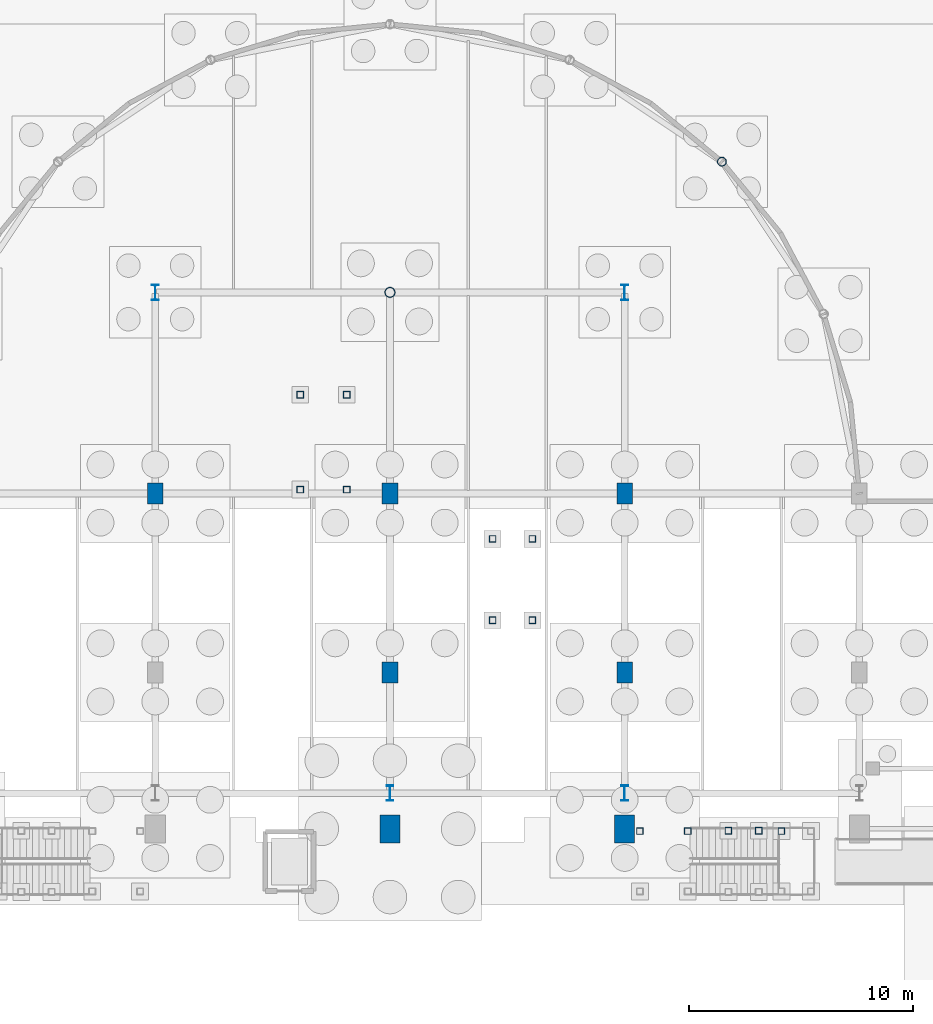
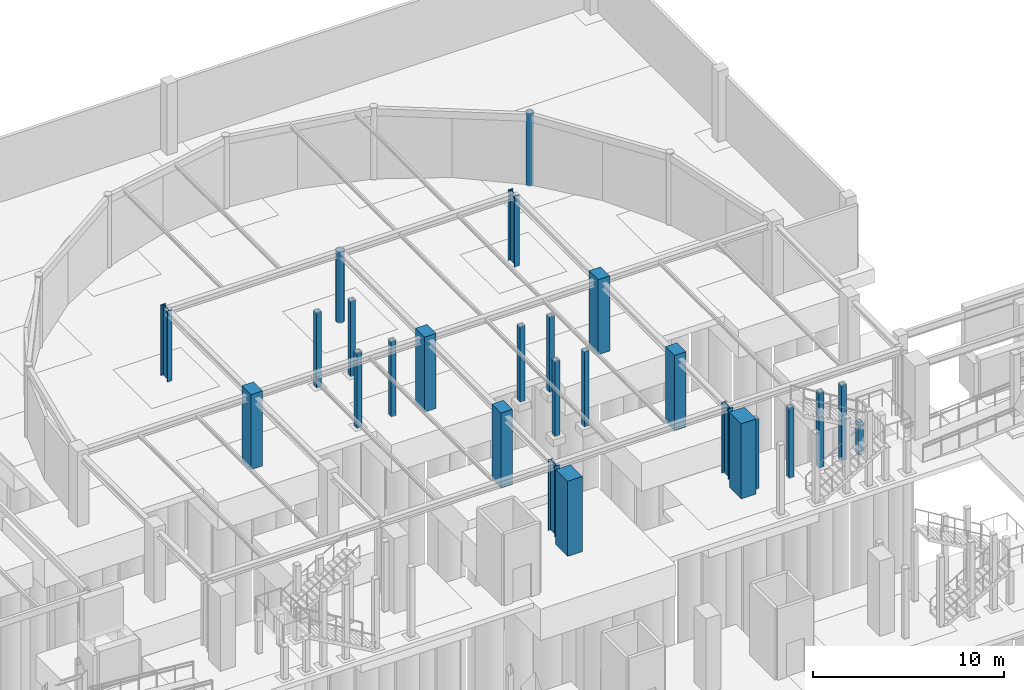
# One storey, part 25 of 160: 26 columns.
"""IFC4 building model written with IfcOpenShell, lengths in metres."""

from ifc_helpers import new_model, si_unit, direction, frame, origin, origin_2d, place, context, subcontext, project, spatial, rectangle, hollow_rectangle, hollow_circle, i_section, extrude, material, material_profile, profile_set, type_object, element, save


model = new_model("IFC4")

# Units and contexts
model_context = context("Model", 3, precision=1e-05, world=origin(), true_north=direction((0.0, 1.0)))
body_context = subcontext(model_context, "Body", "Model", "MODEL_VIEW")
ifc_project = project(units=[si_unit("LENGTHUNIT", "METRE"), si_unit("AREAUNIT", "SQUARE_METRE"), si_unit("VOLUMEUNIT", "CUBIC_METRE"), si_unit("PLANEANGLEUNIT", "RADIAN"), si_unit("MASSUNIT", "GRAM", prefix="KILO")], contexts=[model_context])

# Site, building, storey
site_placement = place(None, origin())
site = spatial("IfcSite", under=ifc_project, at=site_placement, CompositionType="ELEMENT")
building_placement = place(site_placement, origin())
building = spatial("IfcBuilding", under=site, at=building_placement, Name="Marlcrest Central Station", CompositionType="ELEMENT")
storey_placement = place(building_placement, origin())
storey = spatial("IfcBuildingStorey", under=building, at=storey_placement, Name="L00", CompositionType="ELEMENT", Elevation=0.0)

# Columns
ifc_material_1 = material(Name="Concrete C50/60", Category="concrete")
ifc_material_profile_1 = material_profile(ifc_material_1, rectangle(XDim=0.699951171875, YDim=0.949951171875, at=origin_2d()), Name="RC 700x950")
ifc_profile_set_1 = profile_set([ifc_material_profile_1], Name="Concrete C50/60")
column_type_1 = type_object("IfcColumnType", Name="RC-10", PredefinedType="COLUMN", material=ifc_profile_set_1)
for number, where, z_axis, x_axis, name in (
    (1, (108.0, 102.5, 0.0), (0.0, 0.0, 1.0), (1.0, 0.0, 0.0), "col-RC-10-L00-0755"),
    (2, (118.5, 102.5, 0.0), (0.0, 0.0, 1.0), (1.0, 0.0, 0.0), "col-RC-10-L00-0757"),
    (3, (97.5, 110.5, 0.0), (0.0, 0.0, 1.0), (1.0, 0.0, 0.0), "col-RC-10-L00-0771"),
    (4, (108.0, 110.5, 0.0), (0.0, 0.0, 1.0), (1.0, 0.0, 0.0), "col-RC-10-L00-0773"),
    (5, (118.5, 110.5, 0.0), (0.0, 0.0, 1.0), (1.0, 0.0, 0.0), "col-RC-10-L00-0775"),
):
    element("IfcColumn", number, at=place(storey_placement, frame(where, z_axis=z_axis, x_axis=x_axis)), inside=storey, type_object=column_type_1, Name=name, PredefinedType="COLUMN", context=body_context, shape_type="SweptSolid", body=[
        extrude(rectangle(XDim=0.699951171875, YDim=0.949951171875, at=origin_2d()), origin(), (0.0, 0.0, 1.0), 4.800048828125),
    ])
ifc_material_profile_2 = material_profile(ifc_material_1, rectangle(XDim=0.89990234375, YDim=1.25, at=origin_2d()), Name="RC 900x1250")
ifc_profile_set_2 = profile_set([ifc_material_profile_2], Name="Concrete C50/60")
column_type_2 = type_object("IfcColumnType", Name="RC-12", PredefinedType="COLUMN", material=ifc_profile_set_2)
for number, where, z_axis, x_axis, name in (
    (6, (108.0, 95.5, 0.0), (0.0, 0.0, 1.0), (1.0, 0.0, 0.0), "col-RC-12-L00-0645"),
    (7, (118.5, 95.5, 0.0), (0.0, 0.0, 1.0), (1.0, 0.0, 0.0), "col-RC-12-L00-0655"),
):
    element("IfcColumn", number, at=place(storey_placement, frame(where, z_axis=z_axis, x_axis=x_axis)), inside=storey, type_object=column_type_2, Name=name, PredefinedType="COLUMN", context=body_context, shape_type="SweptSolid", body=[
        extrude(rectangle(XDim=0.89990234375, YDim=1.25, at=origin_2d()), origin(), (0.0, 0.0, 1.0), 4.800048828125),
    ])
ifc_material_2 = material(Name="Steel S355", Category="steel")
ifc_material_profile_3 = material_profile(ifc_material_2, i_section(OverallWidth=0.300048828125, OverallDepth=0.699951171875, WebThickness=0.01708984375, FlangeThickness=0.031982421875, FilletRadius=0.027099609375, at=origin_2d()), Name="HEB 700")
ifc_profile_set_3 = profile_set([ifc_material_profile_3], Name="Steel S355")
column_type_3 = type_object("IfcColumnType", Name="SC-07", PredefinedType="COLUMN", material=ifc_profile_set_3)
for number, where, z_axis, x_axis, name in (
    (8, (97.5, 119.5, 0.0), (0.0, 0.0, 1.0), (1.0, 0.0, 0.0), "col-SC-07-L00-0871"),
    (9, (118.5, 119.5, 0.0), (0.0, 0.0, 1.0), (1.0, 0.0, 0.0), "col-SC-07-L00-0879"),
    (10, (108.0, 97.10009765625, 0.0), (0.0, 0.0, 1.0), (1.0, 0.0, 0.0), "col-SC-07-L00-0890"),
    (11, (118.5, 97.10009765625, 0.0), (0.0, 0.0, 1.0), (1.0, 0.0, 0.0), "col-SC-07-L00-0893"),
):
    element("IfcColumn", number, at=place(storey_placement, frame(where, z_axis=z_axis, x_axis=x_axis)), inside=storey, type_object=column_type_3, Name=name, PredefinedType="COLUMN", context=body_context, shape_type="SweptSolid", body=[
        extrude(i_section(OverallWidth=0.300048828125, OverallDepth=0.699951171875, WebThickness=0.01708984375, FlangeThickness=0.031982421875, FilletRadius=0.027099609375, at=origin_2d()), origin(), (0.0, 0.0, 1.0), 4.52001953125),
    ])
ifc_material_profile_4 = material_profile(ifc_material_2, hollow_circle(Radius=0.203125, WallThickness=0.02001953125, at=origin_2d()), Name="CHS 406.4x20")
ifc_profile_set_4 = profile_set([ifc_material_profile_4], Name="Steel S355")
column_type_4 = type_object("IfcColumnType", Name="SC-10", PredefinedType="COLUMN", material=ifc_profile_set_4)
column_1_placement = place(storey_placement, frame((122.84912109375, 125.34912109375, 0.0), z_axis=(0.0, 0.0, 1.0), x_axis=(1.0, 0.0, 0.0)))
element("IfcColumn", 12, at=column_1_placement, inside=storey, type_object=column_type_4, Name="col-SC-10-L00-0863", PredefinedType="COLUMN", context=body_context, shape_type="SweptSolid", body=[
    extrude(hollow_circle(Radius=0.203125, WallThickness=0.02001953125, at=origin_2d()), origin(), (0.0, 0.0, 1.0), 4.610107421875),
])
ifc_material_profile_5 = material_profile(ifc_material_2, hollow_circle(Radius=0.228515625, WallThickness=0.02001953125, at=origin_2d()), Name="CHS 457x20")
ifc_profile_set_5 = profile_set([ifc_material_profile_5], Name="Steel S355")
column_type_5 = type_object("IfcColumnType", Name="SC-11", PredefinedType="COLUMN", material=ifc_profile_set_5)
column_2_placement = place(storey_placement, frame((108.0, 119.5, 0.0), z_axis=(0.0, 0.0, 1.0), x_axis=(1.0, 0.0, 0.0)))
element("IfcColumn", 13, at=column_2_placement, inside=storey, type_object=column_type_5, Name="col-SC-11-L00-0875", PredefinedType="COLUMN", context=body_context, shape_type="SweptSolid", body=[
    extrude(hollow_circle(Radius=0.228515625, WallThickness=0.02001953125, at=origin_2d()), origin(), (0.0, 0.0, 1.0), 4.52001953125),
])
ifc_material_profile_6 = material_profile(ifc_material_2, hollow_rectangle(XDim=0.300048828125, YDim=0.300048828125, WallThickness=0.01611328125, at=origin_2d()), Name="SHS 300x300x16")
ifc_profile_set_6 = profile_set([ifc_material_profile_6], Name="Steel S355")
column_type_6 = type_object("IfcColumnType", Name="SC-19", PredefinedType="COLUMN", material=ifc_profile_set_6)
for number, where, z_axis, x_axis, name in (
    (14, (119.179931640625, 95.39990234375, 0.0), (0.0, 0.0, 1.0), (1.0, 0.0, 0.0), "stcol-tr-0028-1191-954"),
    (15, (121.320068359375, 95.39990234375, 0.0), (0.0, 0.0, 1.0), (1.0, 0.0, 0.0), "stcol-tr-0028-1213-954"),
):
    element("IfcColumn", number, at=place(storey_placement, frame(where, z_axis=z_axis, x_axis=x_axis)), inside=storey, type_object=column_type_6, Name=name, PredefinedType="COLUMN", context=body_context, shape_type="SweptSolid", body=[
        extrude(hollow_rectangle(XDim=0.300048828125, YDim=0.300048828125, WallThickness=0.01611328125, at=origin_2d()), origin(), (0.0, 0.0, 1.0), 4.47998046875),
    ])
column_3_placement = place(storey_placement, frame((125.510009765625, 95.39990234375, 0.0), z_axis=(0.0, 0.0, 1.0), x_axis=(1.0, 0.0, 0.0)))
element("IfcColumn", 16, at=column_3_placement, inside=storey, type_object=column_type_6, Name="stcol-0029-1255-954", PredefinedType="COLUMN", context=body_context, shape_type="SweptSolid", body=[
    extrude(hollow_rectangle(XDim=0.300048828125, YDim=0.300048828125, WallThickness=0.01611328125, at=origin_2d()), origin(), (0.0, 0.0, 1.0), 2.080078125),
])
for number, where, z_axis, x_axis, name in (
    (17, (123.139892578125, 95.419921875, 0.0), (0.0, 0.0, 1.0), (1.0, 0.0, 0.0), "stcol-hi0-0030-1231-954"),
    (18, (124.5, 95.419921875, 0.0), (0.0, 0.0, 1.0), (1.0, 0.0, 0.0), "stcol-hi0-0030-1245-954"),
    (19, (103.989990234375, 110.679931640625, 0.0), (0.0, 0.0, 1.0), (1.0, 0.0, 0.0), "htcol-n11-0034-0"),
    (20, (106.070068359375, 110.679931640625, 0.0), (0.0, 0.0, 1.0), (1.0, 0.0, 0.0), "htcol-n11-0034-1"),
    (21, (106.070068359375, 114.919921875, 0.0), (0.0, 0.0, 1.0), (1.0, 0.0, 0.0), "htcol-n11-0034-2"),
    (22, (103.989990234375, 114.919921875, 0.0), (0.0, 0.0, 1.0), (1.0, 0.0, 0.0), "htcol-n11-0034-3"),
    (23, (112.590087890625, 104.830078125, 0.0), (0.0, 0.0, 1.0), (1.0, 0.0, 0.0), "htcol-L00-0036-0"),
    (24, (114.3701171875, 104.830078125, 0.0), (0.0, 0.0, 1.0), (1.0, 0.0, 0.0), "htcol-L00-0036-1"),
    (25, (114.3701171875, 108.469970703125, 0.0), (0.0, 0.0, 1.0), (1.0, 0.0, 0.0), "htcol-L00-0036-2"),
    (26, (112.590087890625, 108.469970703125, 0.0), (0.0, 0.0, 1.0), (1.0, 0.0, 0.0), "htcol-L00-0036-3"),
):
    element("IfcColumn", number, at=place(storey_placement, frame(where, z_axis=z_axis, x_axis=x_axis)), inside=storey, type_object=column_type_6, Name=name, PredefinedType="COLUMN", context=body_context, shape_type="SweptSolid", body=[
        extrude(hollow_rectangle(XDim=0.300048828125, YDim=0.300048828125, WallThickness=0.01611328125, at=origin_2d()), origin(), (0.0, 0.0, 1.0), 4.800048828125),
    ])

save(model, "model.ifc")
